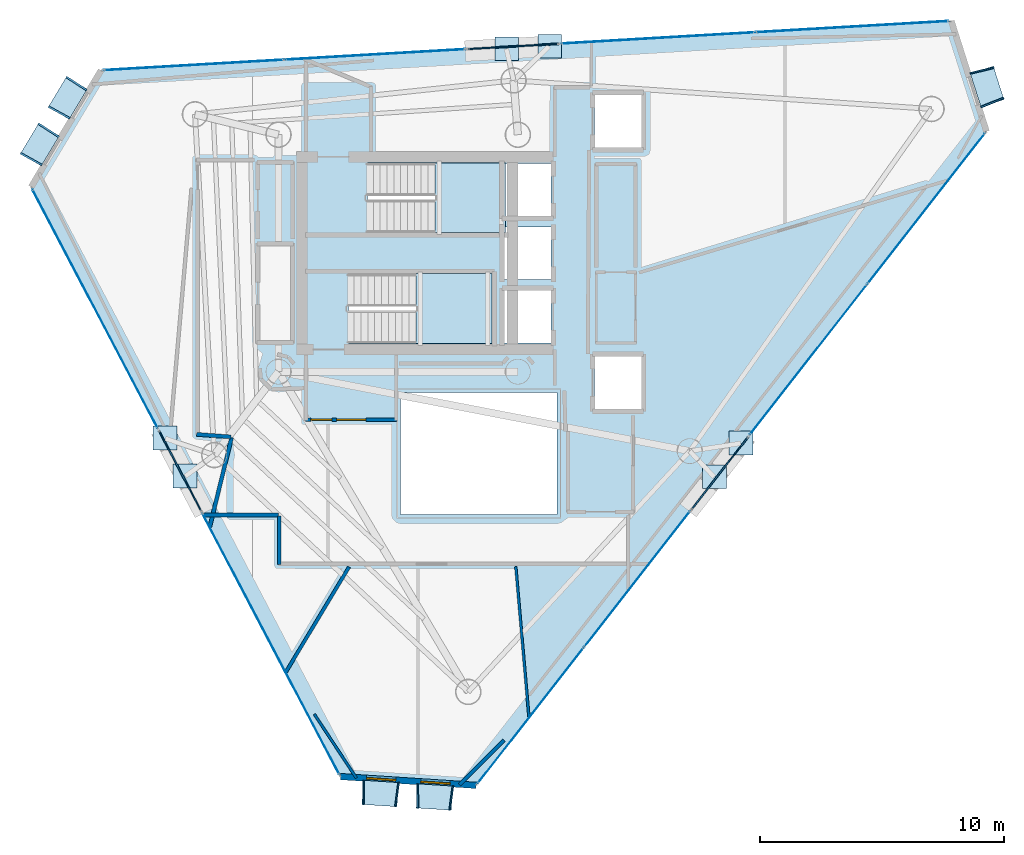
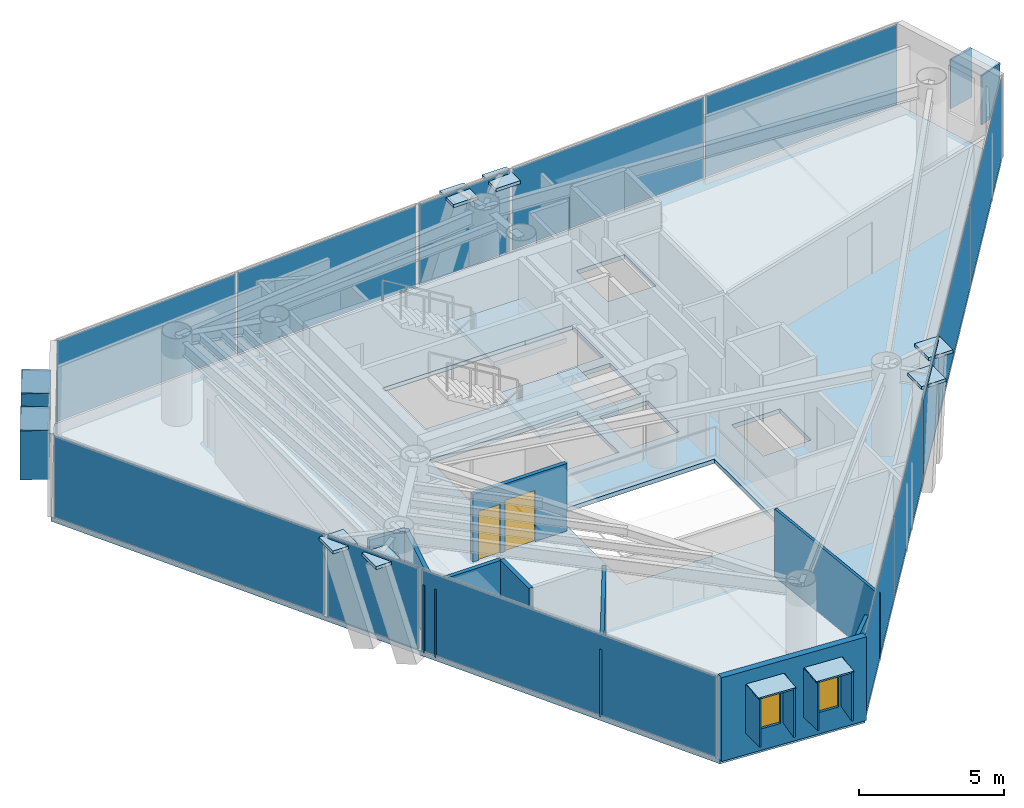
# One storey, part 13 of 18: 34 plates, 10 walls, 3 slabs, 2 doors, 2 windows, 4 openings, 11 elements without a shape of their own.
"""IFC4 building model written with IfcOpenShell, lengths in metres."""

from ifc_helpers import new_model, si_unit, direction, frame, frame_2d, origin, origin_2d, place, context, subcontext, project, spatial, polyline, rectangle, outline, extrude, material, layer, layer_set, type_object, element, fill, aggregate, save


model = new_model("IFC4")

# Units and contexts
model_context = context("Model", 3, precision=1e-05, world=origin(), true_north=direction((0.0, 1.0)))
body_context = subcontext(model_context, "Body", "Model", "MODEL_VIEW")
ifc_project = project(units=[si_unit("LENGTHUNIT", "METRE"), si_unit("AREAUNIT", "SQUARE_METRE"), si_unit("VOLUMEUNIT", "CUBIC_METRE"), si_unit("PLANEANGLEUNIT", "RADIAN"), si_unit("MASSUNIT", "GRAM", prefix="KILO")], contexts=[model_context])

# Site, building, storey
site_placement = place(None, origin())
site = spatial("IfcSite", under=ifc_project, at=site_placement, CompositionType="ELEMENT")
building_placement = place(site_placement, origin())
building = spatial("IfcBuilding", under=site, at=building_placement, Name="Qianvela Tower", CompositionType="ELEMENT")
storey_placement = place(building_placement, frame((0.0, 0.0, 264.89990234375)))
storey = spatial("IfcBuildingStorey", under=building, at=storey_placement, Name="L68", CompositionType="ELEMENT", Elevation=264.89990234375)

# Curtain wall, plate
ifc_material_1 = material(Name="Anodised Architectural Aluminium and Insulated Spandrel Panel", Category="aluminium")
ifc_layer_1 = layer(ifc_material_1, 0.179931640625)
ifc_layer_set_1 = layer_set([ifc_layer_1], Name="Anodised Architectural Aluminium and Insulated Spandrel Panel")
curtain_wall_type_1 = type_object("IfcCurtainWallType", Name="CW-BRACEBAY", PredefinedType="USERDEFINED", material=ifc_layer_set_1)
curtain_wall_1_placement = place(storey_placement, origin())
curtain_wall_1 = element("IfcCurtainWall", 1, at=curtain_wall_1_placement, inside=storey, type_object=curtain_wall_type_1, Name="L68 CW-BRACEBAY Curtain Wall 02B", ObjectType="CURTAIN_WALL_SYSTEM", PredefinedType="USERDEFINED")
ifc_material_2 = material(Name="Insulated Aluminium Spandrel Panel with Mineral-Wool Backpan", Category="aluminium")
ifc_layer_2 = layer(ifc_material_2, 0.06005859375)
ifc_layer_set_2 = layer_set([ifc_layer_2], Name="Insulated Aluminium Spandrel Panel with Mineral-Wool Backpan")
plate_type_1 = type_object("IfcPlateType", Name="CW-BRACEBAY-PNL", PredefinedType="CURTAIN_PANEL", material=ifc_layer_set_2)
plate_1_placement = place(storey_placement, frame((38.21533203125, 37.1650390625, 0.06494140625), z_axis=(0.0, 0.0, 1.0), x_axis=(-0.998315629696, -0.058016407196, 0.0)))
plate_1 = element("IfcPlate", 2, at=plate_1_placement, type_object=plate_type_1, Name="CW-9 panel 1.1", PredefinedType="CURTAIN_PANEL", context=body_context, shape_type="SweptSolid", body=[
    extrude(rectangle(XDim=3.699951171875, YDim=0.06005859375, at=origin_2d()), origin(), (0.0, 0.0, 1.0), 3.389892578125),
])
aggregate(curtain_wall_1, [plate_1])

curtain_wall_2_placement = place(storey_placement, origin())
curtain_wall_2 = element("IfcCurtainWall", 3, at=curtain_wall_2_placement, inside=storey, type_object=curtain_wall_type_1, Name="L68 CW-BRACEBAY Curtain Wall 04B", ObjectType="CURTAIN_WALL_SYSTEM", PredefinedType="USERDEFINED")
plate_2_placement = place(storey_placement, frame((24.573486328125, 19.785888671875, 0.06494140625), z_axis=(0.0, 0.0, 1.0), x_axis=(0.464549364104, -0.885547225342, 0.0)))
plate_2 = element("IfcPlate", 4, at=plate_2_placement, type_object=plate_type_1, Name="CW-9 panel 1.1", PredefinedType="CURTAIN_PANEL", context=body_context, shape_type="SweptSolid", body=[
    extrude(rectangle(XDim=3.699951171875, YDim=0.06005859375, at=origin_2d()), origin(), (0.0, 0.0, 1.0), 3.389892578125),
])
aggregate(curtain_wall_2, [plate_2])

curtain_wall_3_placement = place(storey_placement, origin())
curtain_wall_3 = element("IfcCurtainWall", 5, at=curtain_wall_3_placement, inside=storey, type_object=curtain_wall_type_1, Name="L68 CW-BRACEBAY Curtain Wall 06B", ObjectType="CURTAIN_WALL_SYSTEM", PredefinedType="USERDEFINED")
plate_3_placement = place(storey_placement, frame((46.66796875, 19.69775390625, 0.06494140625), z_axis=(0.0, 0.0, 1.0), x_axis=(0.615195654286, 0.788374471269, 0.0)))
plate_3 = element("IfcPlate", 6, at=plate_3_placement, type_object=plate_type_1, Name="CW-9 panel 1.1", PredefinedType="CURTAIN_PANEL", context=body_context, shape_type="SweptSolid", body=[
    extrude(rectangle(XDim=3.739990234375, YDim=0.06005859375, at=origin_2d()), origin(), (0.0, 0.0, 1.0), 3.389892578125),
])
aggregate(curtain_wall_3, [plate_3])

# Curtain wall, plates
ifc_material_3 = material(Name="Anodised Architectural Aluminium and Low-E Glass", Category="aluminium")
ifc_layer_3 = layer(ifc_material_3, 0.159912109375)
ifc_layer_set_3 = layer_set([ifc_layer_3], Name="Anodised Architectural Aluminium and Low-E Glass")
curtain_wall_type_2 = type_object("IfcCurtainWallType", Name="CW-COLIV-Z56", PredefinedType="USERDEFINED", material=ifc_layer_set_3)
curtain_wall_4_placement = place(storey_placement, origin())
curtain_wall_4 = element("IfcCurtainWall", 7, at=curtain_wall_4_placement, inside=storey, type_object=curtain_wall_type_2, Name="L68 CW-COLIV-Z56 Curtain Wall 02A", ObjectType="CURTAIN_WALL_SYSTEM", PredefinedType="USERDEFINED")
ifc_material_4 = material(Name="Double-Silver Low-E Insulated Glass", Category="glass")
ifc_layer_4 = layer(ifc_material_4, 0.028076171875)
ifc_layer_set_4 = layer_set([ifc_layer_4], Name="Double-Silver Low-E Insulated Glass")
plate_type_2 = type_object("IfcPlateType", Name="CW-COLIV-Z56-PNL", PredefinedType="CURTAIN_PANEL", material=ifc_layer_set_4)
plate_4_placement = place(storey_placement, frame((52.083251953125, 37.97119140625, 0.06005859375), z_axis=(0.0, 0.0, 1.0), x_axis=(-0.998314485887, -0.058036085906, 0.0)))
plate_4 = element("IfcPlate", 8, at=plate_4_placement, type_object=plate_type_2, Name="CW-5 panel 1.1", PredefinedType="CURTAIN_PANEL", context=body_context, shape_type="SweptSolid", body=[
    extrude(rectangle(XDim=7.8974609375, YDim=0.028076171875, at=origin_2d()), origin(), (0.0, 0.0, 1.0), 3.39990234375),
])
plate_5_placement = place(storey_placement, frame((44.134033203125, 37.509033203125, 0.06005859375), z_axis=(0.0, 0.0, 1.0), x_axis=(-0.998314485887, -0.058036085906, 0.0)))
plate_5 = element("IfcPlate", 9, at=plate_5_placement, type_object=plate_type_2, Name="CW-5 panel 2.1", PredefinedType="CURTAIN_PANEL", context=body_context, shape_type="SweptSolid", body=[
    extrude(rectangle(XDim=7.8974609375, YDim=0.028076171875, at=origin_2d()), origin(), (0.0, 0.0, 1.0), 3.39990234375),
])
aggregate(curtain_wall_4, [plate_4, plate_5])

curtain_wall_5_placement = place(storey_placement, origin())
curtain_wall_5 = element("IfcCurtainWall", 10, at=curtain_wall_5_placement, inside=storey, type_object=curtain_wall_type_2, Name="L68 CW-COLIV-Z56 Curtain Wall 02C", ObjectType="CURTAIN_WALL_SYSTEM", PredefinedType="USERDEFINED")
plate_6_placement = place(storey_placement, frame((32.55859375, 36.836181640625, 0.06005859375), z_axis=(0.0, 0.0, 1.0), x_axis=(-0.998314435938, -0.058036945112, 0.0)))
plate_6 = element("IfcPlate", 11, at=plate_6_placement, type_object=plate_type_2, Name="CW-5 panel 1.1", PredefinedType="CURTAIN_PANEL", context=body_context, shape_type="SweptSolid", body=[
    extrude(rectangle(XDim=7.372802734375, YDim=0.028076171875, at=origin_2d()), origin(), (0.0, 0.0, 1.0), 3.39990234375),
])
plate_7_placement = place(storey_placement, frame((25.13330078125, 36.404541015625, 0.06005859375), z_axis=(0.0, 0.0, 1.0), x_axis=(-0.998314435938, -0.058036945112, 0.0)))
plate_7 = element("IfcPlate", 12, at=plate_7_placement, type_object=plate_type_2, Name="CW-5 panel 2.1", PredefinedType="CURTAIN_PANEL", context=body_context, shape_type="SweptSolid", body=[
    extrude(rectangle(XDim=7.372802734375, YDim=0.028076171875, at=origin_2d()), origin(), (0.0, 0.0, 1.0), 3.39990234375),
])
aggregate(curtain_wall_5, [plate_6, plate_7])

# Curtain wall, plate
curtain_wall_6_placement = place(storey_placement, origin())
curtain_wall_6 = element("IfcCurtainWall", 13, at=curtain_wall_6_placement, inside=storey, type_object=curtain_wall_type_2, Name="L68 CW-COLIV-Z56 Curtain Wall 04A", ObjectType="CURTAIN_WALL_SYSTEM", PredefinedType="USERDEFINED")
plate_8_placement = place(storey_placement, frame((21.091796875, 26.423095703125, 0.06005859375), z_axis=(0.0, 0.0, 1.0), x_axis=(0.464533928071, -0.885555322761, 0.0)))
plate_8 = element("IfcPlate", 14, at=plate_8_placement, type_object=plate_type_2, Name="CW-5 panel 1.1", PredefinedType="CURTAIN_PANEL", context=body_context, shape_type="SweptSolid", body=[
    extrude(rectangle(XDim=11.030029296875, YDim=0.028076171875, at=origin_2d()), origin(), (0.0, 0.0, 1.0), 3.39990234375),
])
aggregate(curtain_wall_6, [plate_8])

curtain_wall_7_placement = place(storey_placement, origin())
curtain_wall_7 = element("IfcCurtainWall", 15, at=curtain_wall_7_placement, inside=storey, type_object=curtain_wall_type_2, Name="L68 CW-COLIV-Z56 Curtain Wall 04C", ObjectType="CURTAIN_WALL_SYSTEM", PredefinedType="USERDEFINED")
plate_9_placement = place(storey_placement, frame((28.288330078125, 12.704345703125, 0.06005859375), z_axis=(0.0, 0.0, 1.0), x_axis=(0.464534990244, -0.885554765579, 0.0)))
plate_9 = element("IfcPlate", 16, at=plate_9_placement, type_object=plate_type_2, Name="CW-5 panel 1.1", PredefinedType="CURTAIN_PANEL", context=body_context, shape_type="SweptSolid", body=[
    extrude(rectangle(XDim=12.033447265625, YDim=0.028076171875, at=origin_2d()), origin(), (0.0, 0.0, 1.0), 3.39990234375),
])
aggregate(curtain_wall_7, [plate_9])

# Curtain wall, plates
curtain_wall_8_placement = place(storey_placement, origin())
curtain_wall_8 = element("IfcCurtainWall", 17, at=curtain_wall_8_placement, inside=storey, type_object=curtain_wall_type_2, Name="L68 CW-COLIV-Z56 Curtain Wall 06A", ObjectType="CURTAIN_WALL_SYSTEM", PredefinedType="USERDEFINED")
plate_10_placement = place(storey_placement, frame((38.921630859375, 9.771240234375, 0.06005859375), z_axis=(0.0, 0.0, 1.0), x_axis=(0.615208648465, 0.788364331292, 0.0)))
plate_10 = element("IfcPlate", 18, at=plate_10_placement, type_object=plate_type_2, Name="CW-5 panel 1.1", PredefinedType="CURTAIN_PANEL", context=body_context, shape_type="SweptSolid", body=[
    extrude(rectangle(XDim=7.017578125, YDim=0.028076171875, at=origin_2d()), origin(), (0.0, 0.0, 1.0), 3.39990234375),
])
plate_11_placement = place(storey_placement, frame((43.27880859375, 15.35498046875, 0.06005859375), z_axis=(0.0, 0.0, 1.0), x_axis=(0.615208648465, 0.788364331292, 0.0)))
plate_11 = element("IfcPlate", 19, at=plate_11_placement, type_object=plate_type_2, Name="CW-5 panel 2.1", PredefinedType="CURTAIN_PANEL", context=body_context, shape_type="SweptSolid", body=[
    extrude(rectangle(XDim=7.017578125, YDim=0.028076171875, at=origin_2d()), origin(), (0.0, 0.0, 1.0), 3.39990234375),
])
aggregate(curtain_wall_8, [plate_10, plate_11])

curtain_wall_9_placement = place(storey_placement, origin())
curtain_wall_9 = element("IfcCurtainWall", 20, at=curtain_wall_9_placement, inside=storey, type_object=curtain_wall_type_2, Name="L68 CW-COLIV-Z56 Curtain Wall 06C", ObjectType="CURTAIN_WALL_SYSTEM", PredefinedType="USERDEFINED")
plate_12_placement = place(storey_placement, frame((50.291259765625, 24.3408203125, 0.06005859375), z_axis=(0.0, 0.0, 1.0), x_axis=(0.615206388084, 0.7883660952, 0.0)))
plate_12 = element("IfcPlate", 21, at=plate_12_placement, type_object=plate_type_2, Name="CW-5 panel 1.1", PredefinedType="CURTAIN_PANEL", context=body_context, shape_type="SweptSolid", body=[
    extrude(rectangle(XDim=7.779052734375, YDim=0.028076171875, at=origin_2d()), origin(), (0.0, 0.0, 1.0), 3.39990234375),
])
plate_13_placement = place(storey_placement, frame((55.116943359375, 30.52490234375, 0.06005859375), z_axis=(0.0, 0.0, 1.0), x_axis=(0.615206388084, 0.7883660952, 0.0)))
plate_13 = element("IfcPlate", 22, at=plate_13_placement, type_object=plate_type_2, Name="CW-5 panel 2.1", PredefinedType="CURTAIN_PANEL", context=body_context, shape_type="SweptSolid", body=[
    extrude(rectangle(XDim=7.779052734375, YDim=0.028076171875, at=origin_2d()), origin(), (0.0, 0.0, 1.0), 3.39990234375),
])
aggregate(curtain_wall_9, [plate_12, plate_13])

# Plates
ifc_material_5 = material(Name="Steel Q420GJC", Category="steel")
ifc_layer_5 = layer(ifc_material_5, 0.1298828125)
ifc_layer_set_5 = layer_set([ifc_layer_5], Name="Steel Q420GJC")
plate_type_3 = type_object("IfcPlateType", Name="PT-ENDCAP-130", PredefinedType="USERDEFINED", material=ifc_layer_set_5)
for number, where, z_axis, x_axis, name in (
    (23, (39.69873046875, 37.171142578125, 3.2099609375), (0.0, 0.0, 1.0), (1.0, 0.0, 0.0), "L68 Hollow Section End Cap Plate B"),
    (24, (37.948974609375, 37.0693359375, 3.2099609375), (0.0, 0.0, 1.0), (1.0, 0.0, 0.0), "L68 Hollow Section End Cap Plate B"),
    (25, (23.957275390625, 21.133056640625, 3.2099609375), (0.0, 0.0, 1.0), (1.0, 0.0, 0.0), "L68 Hollow Section End Cap Plate B"),
    (26, (24.771484375, 19.5810546875, 3.2099609375), (0.0, 0.0, 1.0), (1.0, 0.0, 0.0), "L68 Hollow Section End Cap Plate B"),
    (27, (46.452392578125, 19.5517578125, 3.20947265625), (0.0, 0.0, 1.0), (1.0, 0.0, 0.0), "L68 Hollow Section End Cap Plate B"),
    (28, (47.530517578125, 20.933349609375, 3.20947265625), (0.0, 0.0, 1.0), (1.0, 0.0, 0.0), "L68 Hollow Section End Cap Plate B"),
):
    element("IfcPlate", number, at=place(storey_placement, frame(where, z_axis=z_axis, x_axis=x_axis)), inside=storey, type_object=plate_type_3, Name=name, ObjectType="END_CAP", PredefinedType="USERDEFINED", context=body_context, shape_type="SweptSolid", body=[
        extrude(rectangle(XDim=0.969970703125, YDim=0.969970703125, at=origin_2d()), origin(), (0.0, 0.0, 1.0), 0.1298828125),
    ])

# Slab
ifc_material_6 = material(Name="Concrete C40", Category="concrete")
ifc_layer_6 = layer(ifc_material_6, 0.179931640625)
ifc_layer_set_6 = layer_set([ifc_layer_6], Name="Concrete C40")
slab_type_1 = type_object("IfcSlabType", Name="SL-FLOOR-180", PredefinedType="FLOOR", material=ifc_layer_set_6)
slab_1_placement = place(storey_placement, frame((0.0, 0.0, -0.179931640625)))
element("IfcSlab", 29, at=slab_1_placement, inside=storey, type_object=slab_type_1, Name="L68 Composite Structural Floor Slab", PredefinedType="FLOOR", context=body_context, shape_type="SweptSolid", body=[
    extrude(outline(polyline([(57.58056640625, 33.681884765625), (56.14013671875, 38.20703125), (21.33837890625, 36.18408203125), (18.4765625, 31.40869140625), (31.13671875, 7.2744140625), (36.6923828125, 6.91455078125), (57.58056640625, 33.681884765625)]), holes=[polyline([(40.0, 23.0), (33.60009765625, 23.0), (33.60009765625, 18.0), (40.0, 18.0), (40.0, 23.0)]), polyline([(43.4599609375, 24.47998046875), (41.5400390625, 24.47998046875), (41.5400390625, 22.320068359375), (43.4599609375, 22.320068359375), (43.4599609375, 24.47998046875)]), polyline([(39.760009765625, 27.179931640625), (37.840087890625, 27.179931640625), (37.840087890625, 25.02001953125), (39.760009765625, 25.02001953125), (39.760009765625, 27.179931640625)]), polyline([(37.35009765625, 27.860107421875), (31.469970703125, 27.860107421875), (31.469970703125, 25.0), (37.35009765625, 25.0), (37.35009765625, 27.860107421875)]), polyline([(39.760009765625, 27.6201171875), (39.760009765625, 29.780029296875), (37.89990234375, 29.780029296875), (37.89990234375, 30.219970703125), (39.760009765625, 30.219970703125), (39.760009765625, 32.3798828125), (37.89990234375, 32.3798828125), (37.89990234375, 32.39990234375), (32.25, 32.39990234375), (32.25, 29.5400390625), (37.840087890625, 29.5400390625), (37.840087890625, 27.6201171875), (39.760009765625, 27.6201171875)]), polyline([(43.4599609375, 35.179931640625), (41.5400390625, 35.179931640625), (41.5400390625, 33.02001953125), (43.4599609375, 33.02001953125), (43.4599609375, 35.179931640625)])]), origin(), (0.0, 0.0, 1.0), 0.179931640625),
])

# Stair, slab
ifc_material_7 = material(Name="Concrete C40", Category="concrete")
stair_type = type_object("IfcStairType", Name="ST-DOGLEG-1350-R168-N22", PredefinedType="HALF_TURN_STAIR", material=ifc_material_7)
stair_1_placement = place(storey_placement, origin())
stair_1 = element("IfcStair", 30, at=stair_1_placement, inside=storey, type_object=stair_type, Name="L68 Smoke-Proof Core Stair ST-1", PredefinedType="HALF_TURN_STAIR")
ifc_material_8 = material(Name="Concrete C40", Category="concrete")
ifc_layer_7 = layer(ifc_material_8, 0.199951171875)
ifc_layer_set_7 = layer_set([ifc_layer_7], Name="Concrete C40")
slab_type_2 = type_object("IfcSlabType", Name="SL-STAIR-LANDING-200", PredefinedType="LANDING", material=ifc_layer_set_7)
slab_2_placement = place(storey_placement, frame((0.0, 0.0, 1.650146484375)))
slab_2 = element("IfcSlab", 31, at=slab_2_placement, type_object=slab_type_2, Name="ST-1 landing 1", PredefinedType="LANDING", context=body_context, shape_type="SweptSolid", body=[
    extrude(outline(polyline([(35.0, 29.5400390625), (37.89990234375, 29.5400390625), (37.89990234375, 32.39990234375), (35.0, 32.39990234375), (35.0, 29.5400390625)])), origin(), (0.0, 0.0, 1.0), 0.199951171875),
])
aggregate(stair_1, [slab_2])

stair_2_placement = place(storey_placement, origin())
stair_2 = element("IfcStair", 32, at=stair_2_placement, inside=storey, type_object=stair_type, Name="L68 Smoke-Proof Core Stair ST-2", PredefinedType="HALF_TURN_STAIR")
slab_3_placement = place(storey_placement, frame((0.0, 0.0, 1.650146484375)))
slab_3 = element("IfcSlab", 33, at=slab_3_placement, type_object=slab_type_2, Name="ST-2 landing 1", PredefinedType="LANDING", context=body_context, shape_type="SweptSolid", body=[
    extrude(outline(polyline([(34.219970703125, 25.0), (37.35009765625, 25.0), (37.35009765625, 27.860107421875), (34.219970703125, 27.860107421875), (34.219970703125, 25.0)])), origin(), (0.0, 0.0, 1.0), 0.199951171875),
])
aggregate(stair_2, [slab_3])

# Plates
ifc_material_9 = material(Name="Vitrified Architectural Terracotta Panel", Category="masonry")
ifc_layer_8 = layer(ifc_material_9, 0.06005859375)
ifc_layer_set_8 = layer_set([ifc_layer_8], Name="Vitrified Architectural Terracotta Panel")
plate_type_4 = type_object("IfcPlateType", Name="TERRACOTTA-SUNSHADE-HOOD-FOLD-A", PredefinedType="USERDEFINED", material=ifc_layer_set_8)
for number, where, z_axis, x_axis, name in (
    (34, (57.60888671875, 35.521728515625, 2.91015625), (0.0, 0.0, 1.0), (-0.303311358522, 0.952891504733, 0.0), "L68 Terracotta Sunshade Hood FOLD-A"),
    (35, (32.765625, 6.58251953125, 2.91015625), (0.0, 0.0, 1.0), (0.997909306219, -0.064629842658, 0.0), "L68 Terracotta Sunshade Hood FOLD-A"),
    (36, (34.98779296875, 6.438720703125, 2.91015625), (0.0, 0.0, 1.0), (0.997909306219, -0.064629842658, 0.0), "L68 Terracotta Sunshade Hood FOLD-A"),
):
    element("IfcPlate", number, at=place(storey_placement, frame(where, z_axis=z_axis, x_axis=x_axis)), inside=storey, type_object=plate_type_4, Name=name, ObjectType="SUNSHADE", PredefinedType="USERDEFINED", context=body_context, shape_type="SweptSolid", body=[
        extrude(rectangle(XDim=1.43994140625, YDim=0.989990234375, at=origin_2d()), origin(), (0.0, 0.0, 1.0), 0.06005859375),
    ])
ifc_material_10 = material(Name="Vitrified Architectural Terracotta Panel", Category="masonry")
ifc_layer_9 = layer(ifc_material_10, 0.070068359375)
ifc_layer_set_9 = layer_set([ifc_layer_9], Name="Vitrified Architectural Terracotta Panel")
plate_type_5 = type_object("IfcPlateType", Name="TERRACOTTA-SUNSHADE-HOOD-FOLD-C", PredefinedType="USERDEFINED", material=ifc_layer_set_9)
for number, where, z_axis, x_axis, name in (
    (37, (19.97802734375, 35.05224609375, 2.91015625), (0.0, 0.0, 1.0), (-0.514057832924, -0.857755527181, 0.0), "L68 Terracotta Sunshade Hood FOLD-C"),
    (38, (18.83349609375, 33.14208984375, 2.91015625), (0.0, 0.0, 1.0), (-0.514057832924, -0.857755527181, 0.0), "L68 Terracotta Sunshade Hood FOLD-C"),
):
    element("IfcPlate", number, at=place(storey_placement, frame(where, z_axis=z_axis, x_axis=x_axis)), inside=storey, type_object=plate_type_5, Name=name, ObjectType="SUNSHADE", PredefinedType="USERDEFINED", context=body_context, shape_type="SweptSolid", body=[
        extrude(rectangle(XDim=1.43994140625, YDim=0.989990234375, at=origin_2d()), origin(), (0.0, 0.0, 1.0), 0.06005859375),
    ])
ifc_material_11 = material(Name="Vitrified Architectural Terracotta Side Fin Panel", Category="masonry")
ifc_layer_10 = layer(ifc_material_11, 0.06494140625)
ifc_layer_set_10 = layer_set([ifc_layer_10], Name="Vitrified Architectural Terracotta Side Fin Panel")
plate_type_6 = type_object("IfcPlateType", Name="TERRACOTTA-SUNSHADE-STRUT-FOLD-A", PredefinedType="USERDEFINED", material=ifc_layer_set_10)
for number, where, z_axis, x_axis, name in (
    (39, (57.818115234375, 34.8642578125, 0.900146484375), (0.0, 0.0, 1.0), (-0.369042858528, 0.929412378102, 0.0), "L68 Terracotta Sunshade Side Fin HL FOLD-A"),
    (40, (57.3994140625, 36.17919921875, 0.900146484375), (0.0, 0.0, 1.0), (-0.236102156066, 0.971728239736, 0.0), "L68 Terracotta Sunshade Side Fin HR FOLD-A"),
    (41, (32.0771484375, 6.627197265625, 0.900146484375), (0.0, 0.0, 1.0), (0.999986799226, 0.005138226708, 0.0), "L68 Terracotta Sunshade Side Fin HL FOLD-A"),
    (42, (33.4541015625, 6.5380859375, 0.900146484375), (0.0, 0.0, 1.0), (0.990970099381, -0.134083041928, 0.0), "L68 Terracotta Sunshade Side Fin HR FOLD-A"),
    (43, (34.29931640625, 6.4833984375, 0.900146484375), (0.0, 0.0, 1.0), (0.999986799226, 0.005138226708, 0.0), "L68 Terracotta Sunshade Side Fin HL FOLD-A"),
    (44, (35.676513671875, 6.39404296875, 0.900146484375), (0.0, 0.0, 1.0), (0.990970099381, -0.134083041928, 0.0), "L68 Terracotta Sunshade Side Fin HR FOLD-A"),
):
    element("IfcPlate", number, at=place(storey_placement, frame(where, z_axis=z_axis, x_axis=x_axis)), inside=storey, type_object=plate_type_6, Name=name, ObjectType="SUNSHADE", PredefinedType="USERDEFINED", context=body_context, shape_type="SweptSolid", body=[
        extrude(rectangle(XDim=0.06494140625, YDim=1.010009765625, at=origin_2d()), origin(), (0.0, 0.0, 1.0), 2.06005859375),
    ])
ifc_material_12 = material(Name="Vitrified Architectural Terracotta Side Fin Panel", Category="masonry")
ifc_layer_11 = layer(ifc_material_12, 0.074951171875)
ifc_layer_set_11 = layer_set([ifc_layer_11], Name="Vitrified Architectural Terracotta Side Fin Panel")
plate_type_7 = type_object("IfcPlateType", Name="TERRACOTTA-SUNSHADE-STRUT-FOLD-C", PredefinedType="USERDEFINED", material=ifc_layer_set_11)
for number, where, z_axis, x_axis, name in (
    (45, (20.332763671875, 35.64404296875, 0.900146484375), (0.0, 0.0, 1.0), (-0.543679918973, -0.839292646045, 0.0), "L68 Terracotta Sunshade Side Fin HL FOLD-C"),
    (46, (19.623291015625, 34.460205078125, 0.900146484375), (0.0, 0.0, 1.0), (-0.483809446589, -0.875173365335, 0.0), "L68 Terracotta Sunshade Side Fin HR FOLD-C"),
    (47, (19.18798828125, 33.73388671875, 0.900146484375), (0.0, 0.0, 1.0), (-0.543679918973, -0.839292646045, 0.0), "L68 Terracotta Sunshade Side Fin HL FOLD-C"),
    (48, (18.478759765625, 32.55029296875, 0.900146484375), (0.0, 0.0, 1.0), (-0.483809446589, -0.875173365335, 0.0), "L68 Terracotta Sunshade Side Fin HR FOLD-C"),
):
    element("IfcPlate", number, at=place(storey_placement, frame(where, z_axis=z_axis, x_axis=x_axis)), inside=storey, type_object=plate_type_7, Name=name, ObjectType="SUNSHADE", PredefinedType="USERDEFINED", context=body_context, shape_type="SweptSolid", body=[
        extrude(rectangle(XDim=0.074951171875, YDim=1.010009765625, at=origin_2d()), origin(), (0.0, 0.0, 1.0), 2.06005859375),
    ])

# Wall, openings, windows
ifc_material_13 = material(Name="Terracotta Cladding on Concrete C40", Category="masonry")
ifc_layer_12 = layer(ifc_material_13, 0.260009765625)
ifc_layer_set_12 = layer_set([ifc_layer_12], Name="Terracotta Cladding on Concrete C40")
wall_type_1 = type_object("IfcWallType", Name="TERRACOTTA-WALL-260", PredefinedType="SOLIDWALL", material=ifc_layer_set_12)
wall_1_placement = place(storey_placement, frame((31.13671875, 7.2744140625, 0.0), z_axis=(0.0, 0.0, 1.0), x_axis=(0.997908734758, -0.064638665628, 0.0)))
wall_1 = element("IfcWall", 49, at=wall_1_placement, inside=storey, type_object=wall_type_1, Name="L68 Terracotta Chamfer Facet Wall 5", PredefinedType="SOLIDWALL", context=body_context, shape_type="SweptSolid", body=[
    extrude(rectangle(XDim=5.5673828125, YDim=0.260009765625, at=frame_2d((2.78369140625, 0.0))), origin(), (0.0, 0.0, 1.0), 3.52001953125),
])
opening_1_placement = place(wall_1_placement, frame((1.070068359375, 0.0, 0.89990234375)))
opening_1 = element("IfcOpeningElement", 50, at=opening_1_placement, cuts=wall_1, Name="Opening W-03", PredefinedType="OPENING", context=body_context, shape_type="SweptSolid", body=[
    extrude(rectangle(XDim=1.199951171875, YDim=2.0, at=frame_2d((0.60009765625, 1.0))), frame((0.0, 0.139892578125, 0.0), z_axis=(0.0, -1.0, 0.0), x_axis=(1.0, 0.0, 0.0)), (0.0, 0.0, 1.0), 0.280029296875),
])
opening_2_placement = place(wall_1_placement, frame((3.297119140625, 0.0, 0.89990234375)))
opening_2 = element("IfcOpeningElement", 51, at=opening_2_placement, cuts=wall_1, Name="Opening W-03", PredefinedType="OPENING", context=body_context, shape_type="SweptSolid", body=[
    extrude(rectangle(XDim=1.199951171875, YDim=2.0, at=frame_2d((0.60009765625, 1.0))), frame((0.0, 0.139892578125, 0.0), z_axis=(0.0, -1.0, 0.0), x_axis=(1.0, 0.0, 0.0)), (0.0, 0.0, 1.0), 0.280029296875),
])
ifc_material_14 = material(Name="Thermally Broken Aluminium and Low-E Glass", Category="aluminium")
window_type = type_object("IfcWindowType", Name="WIN-TC-1200x2000", PartitioningType="SINGLE_PANEL", PredefinedType="WINDOW", material=ifc_material_14)
window_1_placement = place(opening_1_placement, origin())
window_1 = element("IfcWindow", 52, at=window_1_placement, inside=storey, type_object=window_type, Name="L68 Chamfer Facet Window 5.1", OverallHeight=2.0, OverallWidth=1.199951171875, PartitioningType="SINGLE_PANEL", PredefinedType="WINDOW", context=body_context, shape_type="SweptSolid", body=[
    extrude(rectangle(XDim=1.199951171875, YDim=2.0, at=frame_2d((0.60009765625, 1.0))), frame((0.0, 0.030029296875, 0.0), z_axis=(0.0, -1.0, 0.0), x_axis=(1.0, 0.0, 0.0)), (0.0, 0.0, 1.0), 0.06005859375),
])
fill(opening_1, window_1)
window_2_placement = place(opening_2_placement, origin())
window_2 = element("IfcWindow", 53, at=window_2_placement, inside=storey, type_object=window_type, Name="L68 Chamfer Facet Window 5.2", OverallHeight=2.0, OverallWidth=1.199951171875, PartitioningType="SINGLE_PANEL", PredefinedType="WINDOW", context=body_context, shape_type="SweptSolid", body=[
    extrude(rectangle(XDim=1.199951171875, YDim=2.0, at=frame_2d((0.60009765625, 1.0))), frame((0.0, 0.030029296875, 0.0), z_axis=(0.0, -1.0, 0.0), x_axis=(1.0, 0.0, 0.0)), (0.0, 0.0, 1.0), 0.06005859375),
])
fill(opening_2, window_2)

# Wall, openings, doors
ifc_material_15 = material(Name="Fire-Rated Gypsum and Concrete Block", Category="concrete")
ifc_layer_13 = layer(ifc_material_15, 0.159912109375)
ifc_layer_set_13 = layer_set([ifc_layer_13], Name="Fire-Rated Gypsum and Concrete Block")
wall_type_2 = type_object("IfcWallType", Name="WT-CORR-160", PredefinedType="PARTITIONING", material=ifc_layer_set_13)
wall_2_placement = place(storey_placement, frame((33.449951171875, 21.881103515625, 0.0), z_axis=(0.0, 0.0, 1.0), x_axis=(-1.0, 0.0, 0.0)))
wall_2 = element("IfcWall", 54, at=wall_2_placement, inside=storey, type_object=wall_type_2, Name="L68 Partition 5", PredefinedType="PARTITIONING", context=body_context, shape_type="SweptSolid", body=[
    extrude(rectangle(XDim=3.75, YDim=0.159912109375, at=frame_2d((1.875, 0.0))), origin(), (0.0, 0.0, 1.0), 2.840087890625),
])
opening_3_placement = place(wall_2_placement, frame((1.27490234375, 0.0, 0.0)))
opening_3 = element("IfcOpeningElement", 55, at=opening_3_placement, cuts=wall_2, Name="Opening D-LB1", PredefinedType="OPENING", context=body_context, shape_type="SweptSolid", body=[
    extrude(rectangle(XDim=1.199951171875, YDim=2.14990234375, at=frame_2d((0.60009765625, 1.074951171875))), frame((0.0, 0.08984375, 0.0), z_axis=(0.0, -1.0, 0.0), x_axis=(1.0, 0.0, 0.0)), (0.0, 0.0, 1.0), 0.179931640625),
])
opening_4_placement = place(wall_2_placement, frame((2.659912109375, 0.0, 0.0)))
opening_4 = element("IfcOpeningElement", 56, at=opening_4_placement, cuts=wall_2, Name="Opening D-LB2", PredefinedType="OPENING", context=body_context, shape_type="SweptSolid", body=[
    extrude(rectangle(XDim=0.860107421875, YDim=2.050048828125, at=frame_2d((0.43017578125, 1.02490234375))), frame((0.0, 0.08984375, 0.0), z_axis=(0.0, -1.0, 0.0), x_axis=(1.0, 0.0, 0.0)), (0.0, 0.0, 1.0), 0.179931640625),
])
ifc_material_16 = material(Name="Glazed Fire-Rated Steel Frame", Category="steel")
door_type_1 = type_object("IfcDoorType", Name="DT-LOBBY-FD90", OperationType="NOTDEFINED", PredefinedType="DOOR", material=ifc_material_16)
door_1_placement = place(opening_3_placement, origin())
door_1 = element("IfcDoor", 57, at=door_1_placement, inside=storey, type_object=door_type_1, Name="L68 Door L68 Firefighting Lobby South to L68 Floor Corridor", OperationType="SINGLE_SWING_RIGHT", OverallHeight=2.14990234375, OverallWidth=1.199951171875, PredefinedType="DOOR", context=body_context, shape_type="SweptSolid", body=[
    extrude(rectangle(XDim=1.199951171875, YDim=2.14990234375, at=frame_2d((0.60009765625, 1.074951171875))), frame((0.0, 0.02490234375, 0.0), z_axis=(0.0, -1.0, 0.0), x_axis=(1.0, 0.0, 0.0)), (0.0, 0.0, 1.0), 0.050048828125),
])
fill(opening_3, door_1)
ifc_material_17 = material(Name="Insulated Steel Fire Door Q355B", Category="steel")
door_type_2 = type_object("IfcDoorType", Name="DT-LOBBY-FD90-860", OperationType="NOTDEFINED", PredefinedType="DOOR", material=ifc_material_17)
door_2_placement = place(opening_4_placement, origin())
door_2 = element("IfcDoor", 58, at=door_2_placement, inside=storey, type_object=door_type_2, Name="L68 Door L68 Firefighting Lobby South to L68 Floor Corridor", OperationType="SINGLE_SWING_RIGHT", OverallHeight=2.050048828125, OverallWidth=0.860107421875, PredefinedType="DOOR", context=body_context, shape_type="SweptSolid", body=[
    extrude(rectangle(XDim=0.860107421875, YDim=2.050048828125, at=frame_2d((0.43017578125, 1.02490234375))), frame((0.0, 0.02490234375, 0.0), z_axis=(0.0, -1.0, 0.0), x_axis=(1.0, 0.0, 0.0)), (0.0, 0.0, 1.0), 0.050048828125),
])
fill(opening_4, door_2)

# Walls
wall_3_placement = place(storey_placement, frame((28.631103515625, 15.949951171875, 0.0), z_axis=(0.0, 0.0, 1.0), x_axis=(0.0, 1.0, 0.0)))
element("IfcWall", 59, at=wall_3_placement, inside=storey, type_object=wall_type_2, Name="L68 Partition 62", PredefinedType="PARTITIONING", context=body_context, shape_type="SweptSolid", body=[
    extrude(rectangle(XDim=2.0, YDim=0.159912109375, at=frame_2d((1.0, 0.0))), origin(), (0.0, 0.0, 1.0), 2.840087890625),
])
wall_4_placement = place(storey_placement, frame((28.60009765625, 17.98095703125, 0.0), z_axis=(0.0, 0.0, 1.0), x_axis=(-1.0, 0.0, 0.0)))
element("IfcWall", 60, at=wall_4_placement, inside=storey, type_object=wall_type_2, Name="L68 Partition 63", PredefinedType="PARTITIONING", context=body_context, shape_type="SweptSolid", body=[
    extrude(rectangle(XDim=3.099609375, YDim=0.159912109375, at=frame_2d((1.5498046875, 0.0))), origin(), (0.0, 0.0, 1.0), 2.840087890625),
])
wall_5_placement = place(storey_placement, frame((25.78369140625, 17.479248046875, 0.0), z_axis=(0.0, 0.0, 1.0), x_axis=(0.237439542351, 0.971402318161, 0.0)))
element("IfcWall", 61, at=wall_5_placement, inside=storey, type_object=wall_type_2, Name="L68 Partition 64", PredefinedType="PARTITIONING", context=body_context, shape_type="SweptSolid", body=[
    extrude(rectangle(XDim=3.77880859375, YDim=0.159912109375, at=frame_2d((1.889404296875, 0.0))), origin(), (0.0, 0.0, 1.0), 2.840087890625),
])
wall_6_placement = place(storey_placement, frame((26.65234375, 21.180908203125, 0.0), z_axis=(0.0, 0.0, 1.0), x_axis=(-0.997303696291, 0.073384857861, 0.0)))
element("IfcWall", 62, at=wall_6_placement, inside=storey, type_object=wall_type_2, Name="L68 Partition 65", PredefinedType="PARTITIONING", context=body_context, shape_type="SweptSolid", body=[
    extrude(rectangle(XDim=1.404052734375, YDim=0.159912109375, at=frame_2d((0.7021484375, 0.0))), origin(), (0.0, 0.0, 1.0), 2.840087890625),
])
ifc_material_18 = material(Name="Lightweight Gypsum Room Partition")
ifc_layer_14 = layer(ifc_material_18, 0.10498046875)
ifc_layer_set_14 = layer_set([ifc_layer_14], Name="Lightweight Gypsum Room Partition")
wall_type_3 = type_object("IfcWallType", Name="WT-PART-105", PredefinedType="PARTITIONING", material=ifc_layer_set_14)
wall_7_placement = place(storey_placement, frame((38.313232421875, 15.8671875, 0.0), z_axis=(0.0, 0.0, 1.0), x_axis=(0.0871304677, -0.996196909049, 0.0)))
element("IfcWall", 63, at=wall_7_placement, inside=storey, type_object=wall_type_3, Name="L68 Partition 71", PredefinedType="PARTITIONING", context=body_context, shape_type="SweptSolid", body=[
    extrude(rectangle(XDim=6.22607421875, YDim=0.10498046875, at=frame_2d((3.113037109375, 0.0))), origin(), (0.0, 0.0, 1.0), 2.840087890625),
])
wall_8_placement = place(storey_placement, frame((31.790283203125, 7.21484375, 0.0), z_axis=(0.0, 0.0, 1.0), x_axis=(-0.550128311688, 0.835080140273, 0.0)))
element("IfcWall", 64, at=wall_8_placement, inside=storey, type_object=wall_type_3, Name="L68 Partition 74 seg 1", PredefinedType="PARTITIONING", context=body_context, shape_type="SweptSolid", body=[
    extrude(rectangle(XDim=3.1357421875, YDim=0.10498046875, at=frame_2d((1.56787109375, 0.0))), origin(), (0.0, 0.0, 1.0), 2.840087890625),
])
ifc_material_19 = material(Name="Acoustic Double Gypsum Stud Partition")
ifc_layer_15 = layer(ifc_material_19, 0.139892578125)
ifc_layer_set_15 = layer_set([ifc_layer_15], Name="Acoustic Double Gypsum Stud Partition")
wall_type_4 = type_object("IfcWallType", Name="WT-ROOM-140", PredefinedType="PARTITIONING", material=ifc_layer_set_15)
wall_9_placement = place(storey_placement, frame((28.8876953125, 11.525146484375, 0.0), z_axis=(0.0, 0.0, 1.0), x_axis=(0.515078578038, 0.857142962665, 0.0)))
element("IfcWall", 65, at=wall_9_placement, inside=storey, type_object=wall_type_4, Name="L68 Partition 69", PredefinedType="PARTITIONING", context=body_context, shape_type="SweptSolid", body=[
    extrude(rectangle(XDim=5.05029296875, YDim=0.139892578125, at=frame_2d((2.525146484375, 0.0))), origin(), (0.0, 0.0, 1.0), 2.840087890625),
])
wall_10_placement = place(storey_placement, frame((37.827392578125, 8.759033203125, 0.0), z_axis=(0.0, 0.0, 1.0), x_axis=(-0.706250202139, -0.707962323841, 0.0)))
element("IfcWall", 66, at=wall_10_placement, inside=storey, type_object=wall_type_4, Name="L68 Partition 72 seg 1", PredefinedType="PARTITIONING", context=body_context, shape_type="SweptSolid", body=[
    extrude(rectangle(XDim=2.566650390625, YDim=0.139892578125, at=frame_2d((1.283203125, 0.0))), origin(), (0.0, 0.0, 1.0), 2.840087890625),
])

save(model, "model.ifc")
